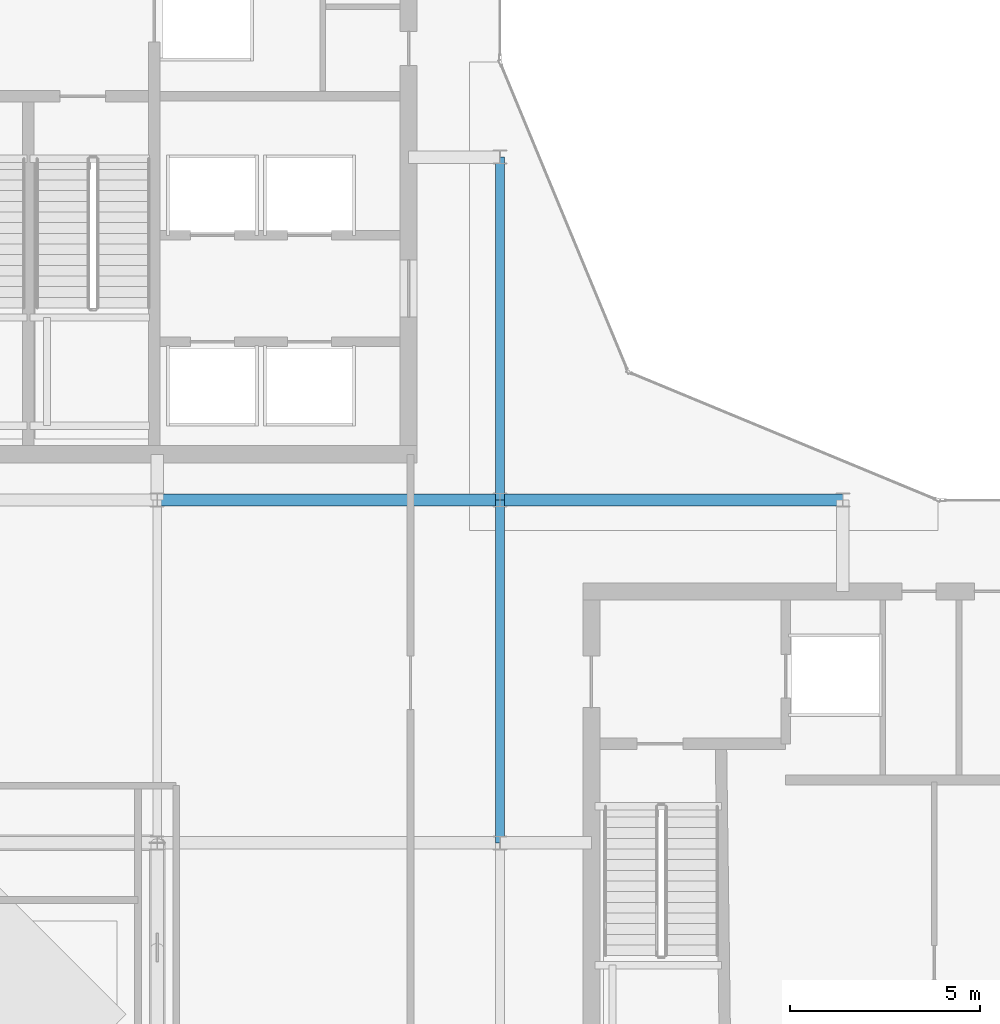
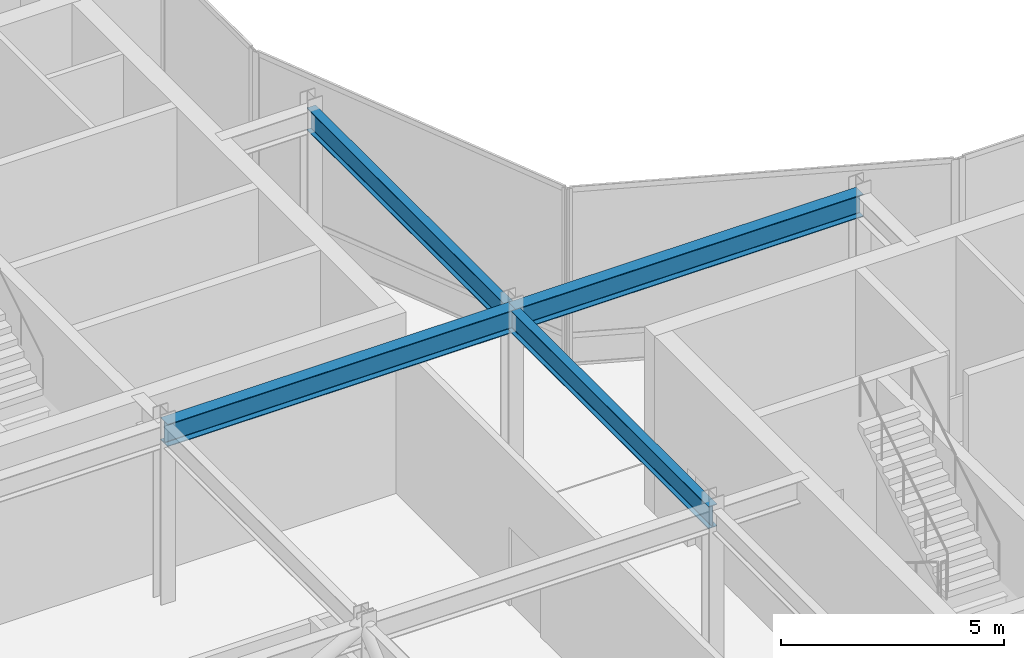
# One storey, part 9 of 21: 4 beams.
"""IFC4 building model written with IfcOpenShell, lengths in metres."""

from ifc_helpers import new_model, si_unit, direction, frame, origin, origin_2d, place, context, subcontext, project, spatial, i_section, extrude, material, material_profile, profile_set, type_object, element, save


model = new_model("IFC4")

# Units and contexts
model_context = context("Model", 3, precision=1e-05, world=origin(), true_north=direction((0.0, 1.0)))
body_context = subcontext(model_context, "Body", "Model", "MODEL_VIEW")
ifc_project = project(units=[si_unit("LENGTHUNIT", "METRE"), si_unit("AREAUNIT", "SQUARE_METRE"), si_unit("VOLUMEUNIT", "CUBIC_METRE"), si_unit("PLANEANGLEUNIT", "RADIAN"), si_unit("MASSUNIT", "GRAM", prefix="KILO")], contexts=[model_context])

# Site, building, storey
site_placement = place(None, origin())
site = spatial("IfcSite", under=ifc_project, at=site_placement, CompositionType="ELEMENT")
building_placement = place(site_placement, origin())
building = spatial("IfcBuilding", under=site, at=building_placement, Name="Solvaryn Broadcast Tower", CompositionType="ELEMENT")
storey_placement = place(building_placement, frame((0.0, 0.0, 297.39990234375)))
storey = spatial("IfcBuildingStorey", under=building, at=storey_placement, Name="L75", CompositionType="ELEMENT", Elevation=297.39990234375)

# Beams
ifc_material_1 = material(Name="Steel ASTM A992 Grade 50", Category="steel")
ifc_material_profile_1 = material_profile(ifc_material_1, i_section(OverallWidth=0.323974609375, OverallDepth=0.611083984375, WebThickness=0.0126953125, FlangeThickness=0.01904296875, FilletRadius=0.014892578125, at=origin_2d()))
ifc_profile_set_1 = profile_set([ifc_material_profile_1], Name="Steel ASTM A992 Grade 50")
beam_type_1 = type_object("IfcBeamType", Name="BM-B1-W24X104", PredefinedType="BEAM", material=ifc_profile_set_1)
for number, where, z_axis, x_axis, name in (
    (1, (18.0, 27.0, 4.564697265625), (1.0, 0.0, 0.0), (0.0, 1.0, 0.0), "L75 Primary Beam X (18-27 @ Y=27)"),
    (2, (27.0, 27.0, 4.564697265625), (1.0, 0.0, 0.0), (0.0, 1.0, 0.0), "L75 Primary Beam X (27-36 @ Y=27)"),
):
    element("IfcBeam", number, at=place(storey_placement, frame(where, z_axis=z_axis, x_axis=x_axis)), inside=storey, type_object=beam_type_1, Name=name, PredefinedType="BEAM", context=body_context, shape_type="SweptSolid", body=[
        extrude(i_section(OverallWidth=0.323974609375, OverallDepth=0.611083984375, WebThickness=0.0126953125, FlangeThickness=0.01904296875, FilletRadius=0.014892578125, at=origin_2d()), origin(), (0.0, 0.0, 1.0), 9.0),
    ])
ifc_material_2 = material(Name="Steel ASTM A992 Grade 50", Category="steel")
ifc_material_profile_2 = material_profile(ifc_material_2, i_section(OverallWidth=0.22802734375, OverallDepth=0.60791015625, WebThickness=0.01123046875, FlangeThickness=0.017333984375, FilletRadius=0.014892578125, at=origin_2d()))
ifc_profile_set_2 = profile_set([ifc_material_profile_2], Name="Steel ASTM A992 Grade 50")
beam_type_2 = type_object("IfcBeamType", Name="BM-B2-W24X76", PredefinedType="BEAM", material=ifc_profile_set_2)
for number, where, z_axis, x_axis, name in (
    (3, (27.0, 18.0, 4.566162109375), (0.0, 1.0, 0.0), (-1.0, 0.0, 0.0), "L75 Primary Beam Y (18-27 @ X=27)"),
    (4, (27.0, 27.0, 4.566162109375), (0.0, 1.0, 0.0), (-1.0, 0.0, 0.0), "L75 Primary Beam Y (27-36 @ X=27)"),
):
    element("IfcBeam", number, at=place(storey_placement, frame(where, z_axis=z_axis, x_axis=x_axis)), inside=storey, type_object=beam_type_2, Name=name, PredefinedType="BEAM", context=body_context, shape_type="SweptSolid", body=[
        extrude(i_section(OverallWidth=0.22802734375, OverallDepth=0.60791015625, WebThickness=0.01123046875, FlangeThickness=0.017333984375, FilletRadius=0.014892578125, at=origin_2d()), origin(), (0.0, 0.0, 1.0), 9.0),
    ])

save(model, "model.ifc")
